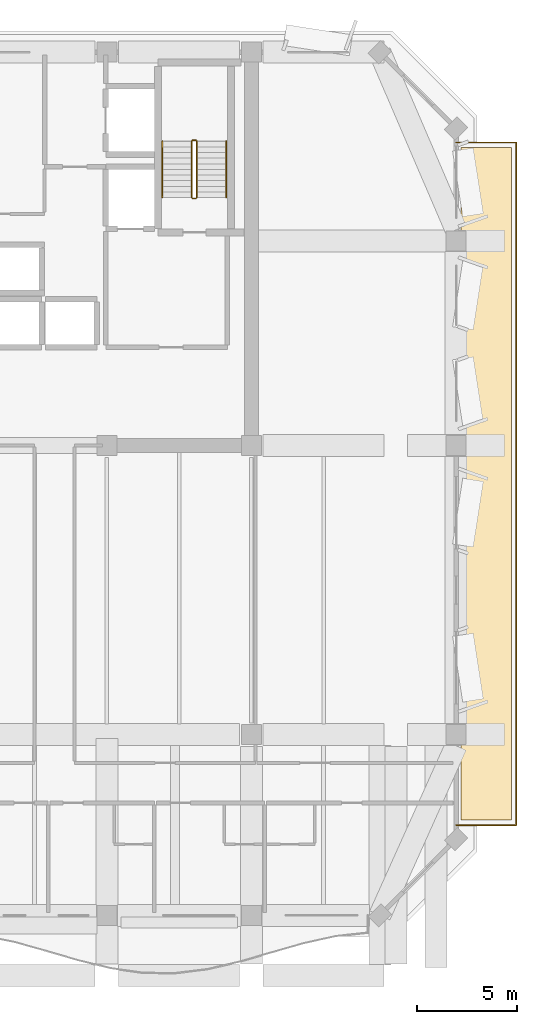
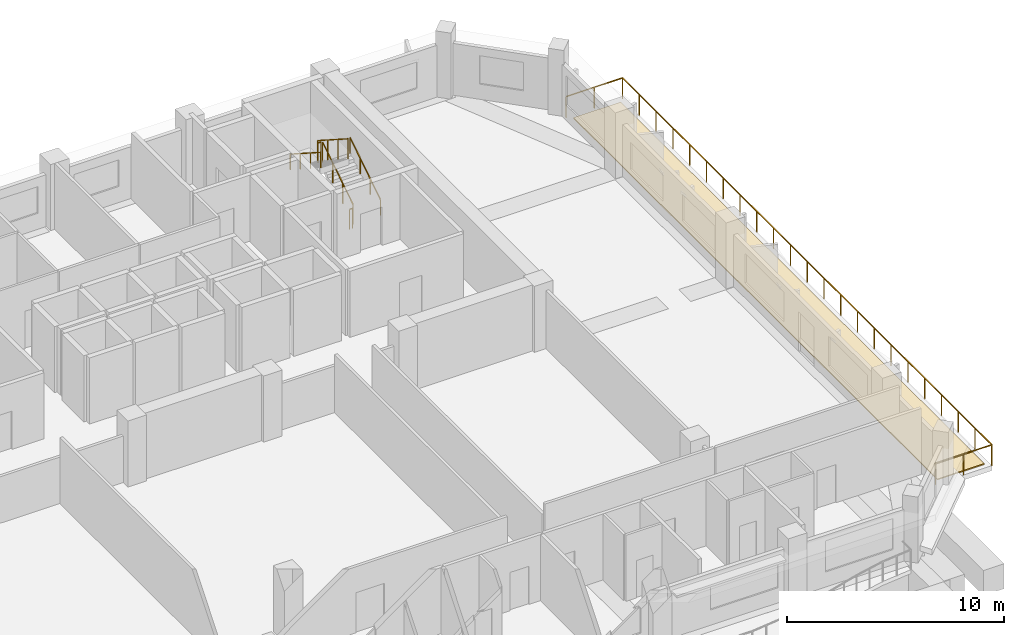
# One storey, part 13 of 13: 7 railings, 1 covering.
"""IFC4 building model written with IfcOpenShell, lengths in metres."""

from ifc_helpers import new_model, si_unit, direction, frame, origin, origin_2d, place, context, subcontext, project, spatial, polyline, rectangle, outline, extrude, material, layer, layer_set, type_object, element, save


model = new_model("IFC4")

# Units and contexts
model_context = context("Model", 3, precision=1e-05, world=origin(), true_north=direction((0.0, 1.0)))
body_context = subcontext(model_context, "Body", "Model", "MODEL_VIEW")
ifc_project = project(units=[si_unit("LENGTHUNIT", "METRE"), si_unit("AREAUNIT", "SQUARE_METRE"), si_unit("VOLUMEUNIT", "CUBIC_METRE"), si_unit("PLANEANGLEUNIT", "RADIAN"), si_unit("MASSUNIT", "GRAM", prefix="KILO")], contexts=[model_context])

# Site, building, storey
site_placement = place(None, origin())
site = spatial("IfcSite", under=ifc_project, at=site_placement, CompositionType="ELEMENT")
building_placement = place(site_placement, origin())
building = spatial("IfcBuilding", under=site, at=building_placement, Name="Kaelvorn Grand Hotel", CompositionType="ELEMENT")
storey_placement = place(building_placement, frame((0.0, 0.0, 229.14990234375)))
storey = spatial("IfcBuildingStorey", under=building, at=storey_placement, Name="L56", CompositionType="ELEMENT", Elevation=229.14990234375)

# Covering
ifc_material_1 = material(Name="Insulated Elastomeric Waterproofing Roof Membrane")
ifc_layer = layer(ifc_material_1, 0.1201171875)
ifc_layer_set = layer_set([ifc_layer], Name="Insulated Elastomeric Waterproofing Roof Membrane")
covering_type = type_object("IfcCoveringType", Name="COV-ROOF-MEMBRANE-120", PredefinedType="ROOFING", material=ifc_layer_set)
covering_placement = place(storey_placement, origin())
element("IfcCovering", 1, at=covering_placement, inside=storey, type_object=covering_type, Name="L56 Setback Terrace Waterproofing Membrane E", PredefinedType="ROOFING", context=body_context, shape_type="SweptSolid", body=[
    extrude(outline(polyline([(78.25, 10.75), (80.75, 10.75), (80.75, 44.25), (78.25, 44.25), (78.25, 10.75)])), origin(), (0.0, 0.0, 1.0), 0.06005859375),
])

# Railings
ifc_material_2 = material(Name="Stainless Steel", Category="steel")
railing_type_1 = type_object("IfcRailingType", Name="RL-HANDRAIL-900", PredefinedType="HANDRAIL", material=ifc_material_2)
railing_1_placement = place(storey_placement, frame((66.550048828125, 41.760009765625, 0.1796875)))
element("IfcRailing", 2, at=railing_1_placement, inside=storey, type_object=railing_type_1, Name="L56 ST3 stair handrail 1", PredefinedType="HANDRAIL", context=body_context, shape_type="SweptSolid", body=[
    extrude(rectangle(XDim=0.048095703125, YDim=0.048095703125, at=origin_2d()), frame((0.0, 0.0, 0.8759765625), z_axis=(0.0, 0.841809871826, 0.539774156196), x_axis=(-1.0, 0.0, 0.0)), (0.0, 0.0, 1.0), 3.326171875),
    extrude(rectangle(XDim=0.0419921875, YDim=0.0419921875, at=origin_2d()), origin(), (0.0, 0.0, 1.0), 0.851806640625),
    extrude(rectangle(XDim=0.0419921875, YDim=0.0419921875, at=origin_2d()), frame((0.0, 0.933349609375, 0.598388671875)), (0.0, 0.0, 1.0), 0.851806640625),
    extrude(rectangle(XDim=0.0419921875, YDim=0.0419921875, at=origin_2d()), frame((0.0, 1.86669921875, 1.197021484375)), (0.0, 0.0, 1.0), 0.851806640625),
    extrude(rectangle(XDim=0.0419921875, YDim=0.0419921875, at=origin_2d()), frame((0.0, 2.800048828125, 1.79541015625)), (0.0, 0.0, 1.0), 0.851806640625),
])
railing_2_placement = place(storey_placement, frame((63.3701171875, 44.56005859375, 2.154541015625)))
element("IfcRailing", 3, at=railing_2_placement, inside=storey, type_object=railing_type_1, Name="L56 ST3 stair handrail 2", PredefinedType="HANDRAIL", context=body_context, shape_type="SweptSolid", body=[
    extrude(rectangle(XDim=0.048095703125, YDim=0.048095703125, at=origin_2d()), frame((0.0, 0.0, 0.8759765625), z_axis=(0.0, -0.841776520102, 0.539826166654), x_axis=(1.0, 0.0, 0.0)), (0.0, 0.0, 1.0), 3.326416015625),
    extrude(rectangle(XDim=0.0419921875, YDim=0.0419921875, at=origin_2d()), origin(), (0.0, 0.0, 1.0), 0.851806640625),
    extrude(rectangle(XDim=0.0419921875, YDim=0.0419921875, at=origin_2d()), frame((0.0, -0.933349609375, 0.5986328125)), (0.0, 0.0, 1.0), 0.851806640625),
    extrude(rectangle(XDim=0.0419921875, YDim=0.0419921875, at=origin_2d()), frame((0.0, -1.86669921875, 1.197021484375)), (0.0, 0.0, 1.0), 0.851806640625),
    extrude(rectangle(XDim=0.0419921875, YDim=0.0419921875, at=origin_2d()), frame((0.0, -2.800048828125, 1.795654296875)), (0.0, 0.0, 1.0), 0.851806640625),
])
railing_type_2 = type_object("IfcRailingType", Name="RL-OBS-1200", PredefinedType="BALUSTRADE", material=ifc_material_2)
railing_3_placement = place(storey_placement, frame((78.0, 44.5, 0.0)))
element("IfcRailing", 4, at=railing_3_placement, inside=storey, type_object=railing_type_2, Name="L56 Setback Sky Terrace Balustrade E", PredefinedType="BALUSTRADE", context=body_context, shape_type="SweptSolid", body=[
    extrude(rectangle(XDim=0.048095703125, YDim=0.048095703125, at=origin_2d()), frame((0.0, 0.0, 1.17578125), z_axis=(1.0, 0.0, 0.0), x_axis=(0.0, 1.0, 0.0)), (0.0, 0.0, 1.0), 3.0),
    extrude(rectangle(XDim=0.048095703125, YDim=0.048095703125, at=origin_2d()), frame((3.0, 0.0, 1.17578125), z_axis=(0.0, -1.0, 0.0), x_axis=(1.0, 0.0, 0.0)), (0.0, 0.0, 1.0), 34.0),
    extrude(rectangle(XDim=0.048095703125, YDim=0.048095703125, at=origin_2d()), frame((3.0, -34.0, 1.17578125), z_axis=(-1.0, 0.0, 0.0), x_axis=(0.0, -1.0, 0.0)), (0.0, 0.0, 1.0), 3.0),
    extrude(rectangle(XDim=0.0419921875, YDim=0.0419921875, at=origin_2d()), origin(), (0.0, 0.0, 1.0), 1.15185546875),
    extrude(rectangle(XDim=0.0419921875, YDim=0.0419921875, at=origin_2d()), frame((1.5, 0.0, 0.0)), (0.0, 0.0, 1.0), 1.15185546875),
    extrude(rectangle(XDim=0.0419921875, YDim=0.0419921875, at=origin_2d()), frame((3.0, 0.0, 0.0)), (0.0, 0.0, 1.0), 1.15185546875),
    extrude(rectangle(XDim=0.0419921875, YDim=0.0419921875, at=origin_2d()), frame((3.0, -1.54541015625, 0.0)), (0.0, 0.0, 1.0), 1.15185546875),
    extrude(rectangle(XDim=0.0419921875, YDim=0.0419921875, at=origin_2d()), frame((3.0, -3.0908203125, 0.0)), (0.0, 0.0, 1.0), 1.15185546875),
    extrude(rectangle(XDim=0.0419921875, YDim=0.0419921875, at=origin_2d()), frame((3.0, -4.636474609375, 0.0)), (0.0, 0.0, 1.0), 1.15185546875),
    extrude(rectangle(XDim=0.0419921875, YDim=0.0419921875, at=origin_2d()), frame((3.0, -6.181884765625, 0.0)), (0.0, 0.0, 1.0), 1.15185546875),
    extrude(rectangle(XDim=0.0419921875, YDim=0.0419921875, at=origin_2d()), frame((3.0, -7.727294921875, 0.0)), (0.0, 0.0, 1.0), 1.15185546875),
    extrude(rectangle(XDim=0.0419921875, YDim=0.0419921875, at=origin_2d()), frame((3.0, -9.272705078125, 0.0)), (0.0, 0.0, 1.0), 1.15185546875),
    extrude(rectangle(XDim=0.0419921875, YDim=0.0419921875, at=origin_2d()), frame((3.0, -10.818115234375, 0.0)), (0.0, 0.0, 1.0), 1.15185546875),
    extrude(rectangle(XDim=0.0419921875, YDim=0.0419921875, at=origin_2d()), frame((3.0, -12.363525390625, 0.0)), (0.0, 0.0, 1.0), 1.15185546875),
    extrude(rectangle(XDim=0.0419921875, YDim=0.0419921875, at=origin_2d()), frame((3.0, -13.9091796875, 0.0)), (0.0, 0.0, 1.0), 1.15185546875),
    extrude(rectangle(XDim=0.0419921875, YDim=0.0419921875, at=origin_2d()), frame((3.0, -15.45458984375, 0.0)), (0.0, 0.0, 1.0), 1.15185546875),
    extrude(rectangle(XDim=0.0419921875, YDim=0.0419921875, at=origin_2d()), frame((3.0, -17.0, 0.0)), (0.0, 0.0, 1.0), 1.15185546875),
    extrude(rectangle(XDim=0.0419921875, YDim=0.0419921875, at=origin_2d()), frame((3.0, -18.54541015625, 0.0)), (0.0, 0.0, 1.0), 1.15185546875),
    extrude(rectangle(XDim=0.0419921875, YDim=0.0419921875, at=origin_2d()), frame((3.0, -20.0908203125, 0.0)), (0.0, 0.0, 1.0), 1.15185546875),
    extrude(rectangle(XDim=0.0419921875, YDim=0.0419921875, at=origin_2d()), frame((3.0, -21.636474609375, 0.0)), (0.0, 0.0, 1.0), 1.15185546875),
    extrude(rectangle(XDim=0.0419921875, YDim=0.0419921875, at=origin_2d()), frame((3.0, -23.181884765625, 0.0)), (0.0, 0.0, 1.0), 1.15185546875),
    extrude(rectangle(XDim=0.0419921875, YDim=0.0419921875, at=origin_2d()), frame((3.0, -24.727294921875, 0.0)), (0.0, 0.0, 1.0), 1.15185546875),
    extrude(rectangle(XDim=0.0419921875, YDim=0.0419921875, at=origin_2d()), frame((3.0, -26.272705078125, 0.0)), (0.0, 0.0, 1.0), 1.15185546875),
    extrude(rectangle(XDim=0.0419921875, YDim=0.0419921875, at=origin_2d()), frame((3.0, -27.818115234375, 0.0)), (0.0, 0.0, 1.0), 1.15185546875),
    extrude(rectangle(XDim=0.0419921875, YDim=0.0419921875, at=origin_2d()), frame((3.0, -29.363525390625, 0.0)), (0.0, 0.0, 1.0), 1.15185546875),
    extrude(rectangle(XDim=0.0419921875, YDim=0.0419921875, at=origin_2d()), frame((3.0, -30.9091796875, 0.0)), (0.0, 0.0, 1.0), 1.15185546875),
    extrude(rectangle(XDim=0.0419921875, YDim=0.0419921875, at=origin_2d()), frame((3.0, -32.45458984375, 0.0)), (0.0, 0.0, 1.0), 1.15185546875),
    extrude(rectangle(XDim=0.0419921875, YDim=0.0419921875, at=origin_2d()), frame((3.0, -34.0, 0.0)), (0.0, 0.0, 1.0), 1.15185546875),
    extrude(rectangle(XDim=0.0419921875, YDim=0.0419921875, at=origin_2d()), frame((1.5, -34.0, 0.0)), (0.0, 0.0, 1.0), 1.15185546875),
    extrude(rectangle(XDim=0.0419921875, YDim=0.0419921875, at=origin_2d()), frame((0.0, -34.0, 0.0)), (0.0, 0.0, 1.0), 1.15185546875),
])
railing_type_3 = type_object("IfcRailingType", Name="RL-STAIR-GUARD-1150", PredefinedType="BALUSTRADE", material=ifc_material_2)
railing_4_placement = place(storey_placement, frame((65.090087890625, 41.760009765625, 0.1796875)))
element("IfcRailing", 5, at=railing_4_placement, inside=storey, type_object=railing_type_3, Name="L56 ST3 stair guard 1", PredefinedType="BALUSTRADE", context=body_context, shape_type="SweptSolid", body=[
    extrude(rectangle(XDim=0.048095703125, YDim=0.048095703125, at=origin_2d()), frame((0.0, 0.0, 1.1259765625), z_axis=(0.0, 0.841809871826, 0.539774156196), x_axis=(-1.0, 0.0, 0.0)), (0.0, 0.0, 1.0), 3.326171875),
    extrude(rectangle(XDim=0.0419921875, YDim=0.0419921875, at=origin_2d()), origin(), (0.0, 0.0, 1.0), 1.101806640625),
    extrude(rectangle(XDim=0.0419921875, YDim=0.0419921875, at=origin_2d()), frame((0.0, 0.933349609375, 0.598388671875)), (0.0, 0.0, 1.0), 1.101806640625),
    extrude(rectangle(XDim=0.0419921875, YDim=0.0419921875, at=origin_2d()), frame((0.0, 1.86669921875, 1.197021484375)), (0.0, 0.0, 1.0), 1.101806640625),
    extrude(rectangle(XDim=0.0419921875, YDim=0.0419921875, at=origin_2d()), frame((0.0, 2.800048828125, 1.79541015625)), (0.0, 0.0, 1.0), 1.101806640625),
])
railing_5_placement = place(storey_placement, frame((65.0400390625, 44.610107421875, 1.97509765625)))
element("IfcRailing", 6, at=railing_5_placement, inside=storey, type_object=railing_type_3, Name="L56 ST3 stair guard 2", PredefinedType="BALUSTRADE", context=body_context, shape_type="SweptSolid", body=[
    extrude(rectangle(XDim=0.048095703125, YDim=0.048095703125, at=origin_2d()), frame((0.0, 0.0, 1.1259765625), z_axis=(-1.0, 0.0, 0.0), x_axis=(0.0, -1.0, 0.0)), (0.0, 0.0, 1.0), 0.16015625),
    extrude(rectangle(XDim=0.0419921875, YDim=0.0419921875, at=origin_2d()), origin(), (0.0, 0.0, 1.0), 1.101806640625),
    extrude(rectangle(XDim=0.0419921875, YDim=0.0419921875, at=origin_2d()), frame((-0.16015625, 0.0, 0.0)), (0.0, 0.0, 1.0), 1.101806640625),
])
railing_6_placement = place(storey_placement, frame((64.830078125, 44.56005859375, 2.154541015625)))
element("IfcRailing", 7, at=railing_6_placement, inside=storey, type_object=railing_type_3, Name="L56 ST3 stair guard 3", PredefinedType="BALUSTRADE", context=body_context, shape_type="SweptSolid", body=[
    extrude(rectangle(XDim=0.048095703125, YDim=0.048095703125, at=origin_2d()), frame((0.0, 0.0, 1.1259765625), z_axis=(0.0, -0.841776520102, 0.539826166654), x_axis=(1.0, 0.0, 0.0)), (0.0, 0.0, 1.0), 3.326416015625),
    extrude(rectangle(XDim=0.0419921875, YDim=0.0419921875, at=origin_2d()), origin(), (0.0, 0.0, 1.0), 1.101806640625),
    extrude(rectangle(XDim=0.0419921875, YDim=0.0419921875, at=origin_2d()), frame((0.0, -0.933349609375, 0.5986328125)), (0.0, 0.0, 1.0), 1.101806640625),
    extrude(rectangle(XDim=0.0419921875, YDim=0.0419921875, at=origin_2d()), frame((0.0, -1.86669921875, 1.197021484375)), (0.0, 0.0, 1.0), 1.101806640625),
    extrude(rectangle(XDim=0.0419921875, YDim=0.0419921875, at=origin_2d()), frame((0.0, -2.800048828125, 1.795654296875)), (0.0, 0.0, 1.0), 1.101806640625),
])
railing_7_placement = place(storey_placement, frame((65.0400390625, 41.7099609375, 0.0)))
element("IfcRailing", 8, at=railing_7_placement, inside=storey, type_object=railing_type_3, Name="L56 ST3 stair guard 4", PredefinedType="BALUSTRADE", context=body_context, shape_type="SweptSolid", body=[
    extrude(rectangle(XDim=0.048095703125, YDim=0.048095703125, at=origin_2d()), frame((0.0, 0.0, 1.1259765625), z_axis=(-1.0, 0.0, 0.0), x_axis=(0.0, -1.0, 0.0)), (0.0, 0.0, 1.0), 0.16015625),
    extrude(rectangle(XDim=0.0419921875, YDim=0.0419921875, at=origin_2d()), origin(), (0.0, 0.0, 1.0), 1.101806640625),
    extrude(rectangle(XDim=0.0419921875, YDim=0.0419921875, at=origin_2d()), frame((-0.16015625, 0.0, 0.0)), (0.0, 0.0, 1.0), 1.101806640625),
])

save(model, "model.ifc")
